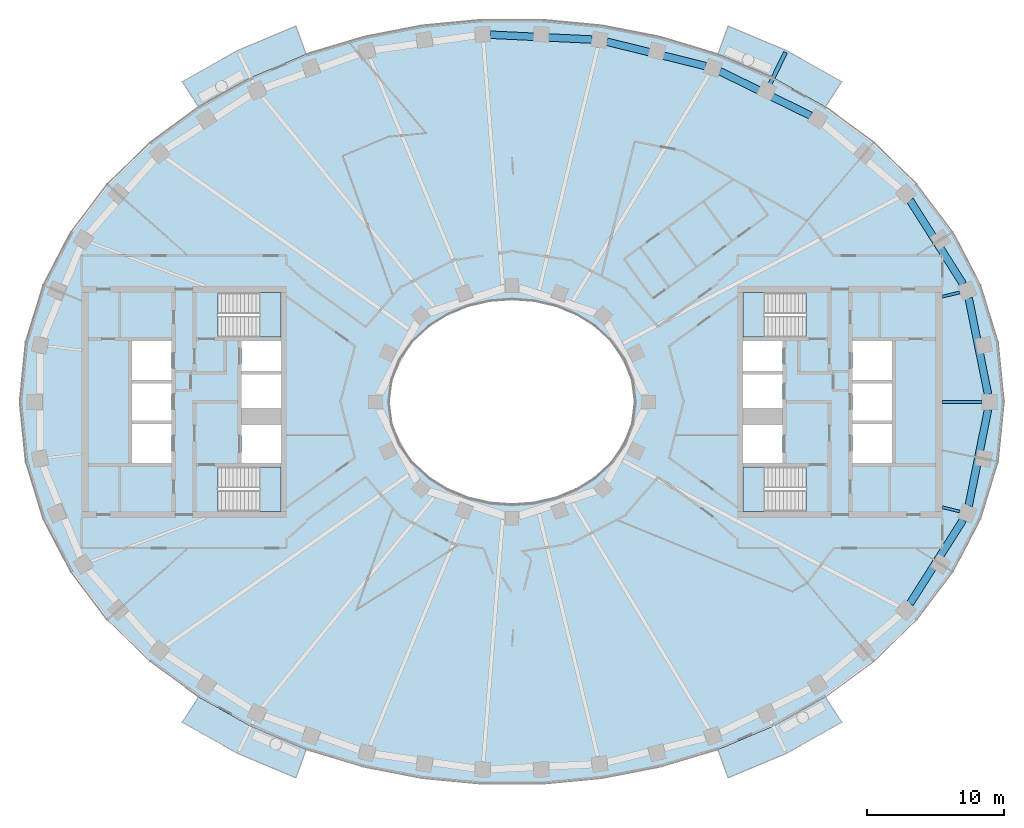
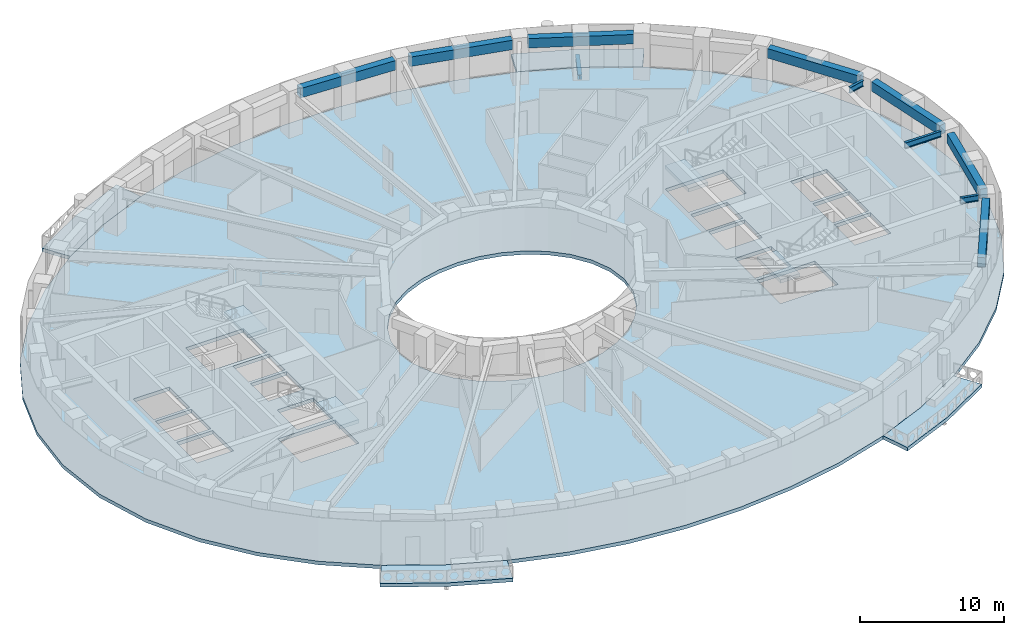
# One storey, part 2 of 15: 11 beams, 9 slabs, 4 elements without a shape of their own.
"""IFC4 building model written with IfcOpenShell, lengths in metres."""

from ifc_helpers import new_model, si_unit, direction, frame, origin, origin_2d, place, context, subcontext, project, spatial, polyline, rectangle, i_section, outline, extrude, material, layer, layer_set, material_profile, profile_set, type_object, element, aggregate, save


model = new_model("IFC4")

# Units and contexts
model_context = context("Model", 3, precision=1e-05, world=origin(), true_north=direction((0.0, 1.0)))
body_context = subcontext(model_context, "Body", "Model", "MODEL_VIEW")
ifc_project = project(units=[si_unit("LENGTHUNIT", "METRE"), si_unit("AREAUNIT", "SQUARE_METRE"), si_unit("VOLUMEUNIT", "CUBIC_METRE"), si_unit("PLANEANGLEUNIT", "RADIAN"), si_unit("MASSUNIT", "GRAM", prefix="KILO")], contexts=[model_context])

# Site, building, storey
site_placement = place(None, origin())
site = spatial("IfcSite", under=ifc_project, at=site_placement, CompositionType="ELEMENT")
building_placement = place(site_placement, origin())
building = spatial("IfcBuilding", under=site, at=building_placement, Name="Noorbagh Ring Tower", CompositionType="ELEMENT")
storey_placement = place(building_placement, frame((0.0, 0.0, 194.0)))
storey = spatial("IfcBuildingStorey", under=building, at=storey_placement, Name="L45", CompositionType="ELEMENT", Elevation=194.0)

# Beams
ifc_material_1 = material(Name="Steel S355", Category="steel")
ifc_material_profile_1 = material_profile(ifc_material_1, i_section(OverallWidth=0.300048828125, OverallDepth=0.39990234375, WebThickness=0.013427734375, FlangeThickness=0.02392578125, FilletRadius=0.027099609375, at=origin_2d()), Name="HEB400")
ifc_profile_set_1 = profile_set([ifc_material_profile_1], Name="Steel S355")
beam_type_1 = type_object("IfcBeamType", Name="STR-BALCONY-BRACKET-HEB400", PredefinedType="BEAM", material=ifc_profile_set_1)
beam_1_placement = place(storey_placement, frame((18.89013671875, 23.283935546875, -0.5), z_axis=(0.439230736405, 0.898374287364, 0.0), x_axis=(-0.898374287364, 0.439230736405, 0.0)))
element("IfcBeam", 1, at=beam_1_placement, inside=storey, type_object=beam_type_1, Name="Balcony bracket beam BN02", PredefinedType="BEAM", context=body_context, shape_type="SweptSolid", body=[
    extrude(i_section(OverallWidth=0.300048828125, OverallDepth=0.39990234375, WebThickness=0.013427734375, FlangeThickness=0.02392578125, FilletRadius=0.027099609375, at=origin_2d()), origin(), (0.0, 0.0, 1.0), 2.55029296875),
])
ifc_material_2 = material(Name="Steel S355", Category="steel")
ifc_material_profile_2 = material_profile(ifc_material_2, i_section(OverallWidth=0.199951171875, OverallDepth=0.5, WebThickness=0.01025390625, FlangeThickness=0.01611328125, FilletRadius=0.02099609375, at=origin_2d()), Name="IPE500")
ifc_profile_set_2 = profile_set([ifc_material_profile_2], Name="Steel S355")
beam_type_2 = type_object("IfcBeamType", Name="STR-RAD-IPE500", PredefinedType="BEAM", material=ifc_profile_set_2)
beam_2_placement = place(storey_placement, frame((34.3896484375, 0.0, 3.449951171875), z_axis=(-1.0, 0.0, 0.0), x_axis=(0.0, -1.0, 0.0)))
element("IfcBeam", 2, at=beam_2_placement, inside=storey, type_object=beam_type_2, Name="L45/bm/RD01", PredefinedType="BEAM", context=body_context, shape_type="SweptSolid", body=[
    extrude(i_section(OverallWidth=0.199951171875, OverallDepth=0.5, WebThickness=0.01025390625, FlangeThickness=0.01611328125, FilletRadius=0.02099609375, at=origin_2d()), origin(), (0.0, 0.0, 1.0), 2.90966796875),
])
for number, where, z_axis, x_axis, name in (
    (3, (32.759765625, 8.015869140625, 3.449951171875), (-0.971351477813, -0.237647441709, 0.0), (0.237647441709, -0.971351477813, 0.0), "L45/bm/RD03"),
    (4, (32.759765625, -8.015869140625, 3.449951171875), (-0.971351477813, 0.237647441709, 0.0), (-0.237647441709, -0.971351477813, 0.0), "L45/bm/RD45"),
):
    element("IfcBeam", number, at=place(storey_placement, frame(where, z_axis=z_axis, x_axis=x_axis)), inside=storey, type_object=beam_type_2, Name=name, PredefinedType="BEAM", context=body_context, shape_type="SweptSolid", body=[
        extrude(i_section(OverallWidth=0.199951171875, OverallDepth=0.5, WebThickness=0.01025390625, FlangeThickness=0.01611328125, FilletRadius=0.02099609375, at=origin_2d()), origin(), (0.0, 0.0, 1.0), 1.317138671875),
    ])
ifc_material_3 = material(Name="Concrete C40/50", Category="concrete")
ifc_material_profile_3 = material_profile(ifc_material_3, rectangle(XDim=0.550048828125, YDim=0.800048828125, at=origin_2d()), Name="RC550x800")
ifc_profile_set_3 = profile_set([ifc_material_profile_3], Name="Concrete C40/50")
beam_type_3 = type_object("IfcBeamType", Name="STR-SB-RC550x800-C40-50", PredefinedType="BEAM", material=ifc_profile_set_3)
beam_3_placement = place(storey_placement, frame((34.8330078125, 0.555419921875, 3.300048828125), z_axis=(-0.197234085058, 0.980356422783, 0.0), x_axis=(-0.980356422783, -0.197234085058, 0.0)))
element("IfcBeam", 5, at=beam_3_placement, inside=storey, type_object=beam_type_3, Name="L45/bm/SP01", PredefinedType="BEAM", context=body_context, shape_type="SweptSolid", body=[
    extrude(rectangle(XDim=0.550048828125, YDim=0.800048828125, at=origin_2d()), origin(), (0.0, 0.0, 1.0), 7.1806640625),
])
beam_4_placement = place(storey_placement, frame((33.00341796875, 8.625732421875, 3.300048828125), z_axis=(-0.535193751586, 0.844729334322, 0.0), x_axis=(-0.844729334322, -0.535193751586, 0.0)))
element("IfcBeam", 6, at=beam_4_placement, inside=storey, type_object=beam_type_3, Name="L45/bm/SP03", PredefinedType="BEAM", context=body_context, shape_type="SweptSolid", body=[
    extrude(rectangle(XDim=0.550048828125, YDim=0.800048828125, at=origin_2d()), origin(), (0.0, 0.0, 1.0), 7.25634765625),
])
beam_5_placement = place(storey_placement, frame((21.85986328125, 20.945556640625, 3.300048828125), z_axis=(-0.898409236546, 0.439159246389, 0.0), x_axis=(-0.439159246389, -0.898409236546, 0.0)))
element("IfcBeam", 7, at=beam_5_placement, inside=storey, type_object=beam_type_3, Name="L45/bm/SP07", PredefinedType="BEAM", context=body_context, shape_type="SweptSolid", body=[
    extrude(rectangle(XDim=0.550048828125, YDim=0.800048828125, at=origin_2d()), origin(), (0.0, 0.0, 1.0), 7.400390625),
])
beam_6_placement = place(storey_placement, frame((14.167724609375, 24.57470703125, 3.300048828125), z_axis=(-0.970828249823, 0.239775956563, 0.0), x_axis=(-0.239775956563, -0.970828249823, 0.0)))
element("IfcBeam", 8, at=beam_6_placement, inside=storey, type_object=beam_type_3, Name="L45/bm/SP09", PredefinedType="BEAM", context=body_context, shape_type="SweptSolid", body=[
    extrude(rectangle(XDim=0.550048828125, YDim=0.800048828125, at=origin_2d()), origin(), (0.0, 0.0, 1.0), 7.433837890625),
])
beam_7_placement = place(storey_placement, frame((5.852294921875, 26.517333984375, 3.300048828125), z_axis=(-0.998867915197, 0.047569822271, 0.0), x_axis=(-0.047569822271, -0.998867915197, 0.0)))
element("IfcBeam", 9, at=beam_7_placement, inside=storey, type_object=beam_type_3, Name="L45/bm/SP11", PredefinedType="BEAM", context=body_context, shape_type="SweptSolid", body=[
    extrude(rectangle(XDim=0.550048828125, YDim=0.800048828125, at=origin_2d()), origin(), (0.0, 0.0, 1.0), 7.447021484375),
])
beam_8_placement = place(storey_placement, frame((29.119873046875, -14.75537109375, 3.300048828125), z_axis=(0.535193751586, 0.844729334322, 0.0), x_axis=(-0.844729334322, 0.535193751586, 0.0)))
element("IfcBeam", 10, at=beam_8_placement, inside=storey, type_object=beam_type_3, Name="L45/bm/SP43", PredefinedType="BEAM", context=body_context, shape_type="SweptSolid", body=[
    extrude(rectangle(XDim=0.550048828125, YDim=0.800048828125, at=origin_2d()), origin(), (0.0, 0.0, 1.0), 7.25634765625),
])
beam_9_placement = place(storey_placement, frame((33.416748046875, -7.594970703125, 3.300048828125), z_axis=(0.197234085058, 0.980356422783, 0.0), x_axis=(-0.980356422783, 0.197234085058, 0.0)))
element("IfcBeam", 11, at=beam_9_placement, inside=storey, type_object=beam_type_3, Name="L45/bm/SP45", PredefinedType="BEAM", context=body_context, shape_type="SweptSolid", body=[
    extrude(rectangle(XDim=0.550048828125, YDim=0.800048828125, at=origin_2d()), origin(), (0.0, 0.0, 1.0), 7.1806640625),
])

# Stair, slab
ifc_material_4 = material(Name="Concrete C40/50", Category="concrete")
stair_type = type_object("IfcStairType", Name="CORE-STAIR", PredefinedType="HALF_TURN_STAIR", material=ifc_material_4)
stair_1_placement = place(storey_placement, origin())
stair_1 = element("IfcStair", 12, at=stair_1_placement, inside=storey, type_object=stair_type, Name="L45 Exit stair ST1", PredefinedType="HALF_TURN_STAIR")
ifc_material_5 = material(Name="Concrete C40/50", Category="concrete")
ifc_layer_1 = layer(ifc_material_5, 0.300048828125)
ifc_layer_set_1 = layer_set([ifc_layer_1], Name="Concrete C40/50")
slab_type_1 = type_object("IfcSlabType", Name="CORE-STAIR-LANDING", PredefinedType="LANDING", material=ifc_layer_set_1)
slab_1_placement = place(storey_placement, frame((0.0, 0.0, 1.699951171875)))
slab_1 = element("IfcSlab", 13, at=slab_1_placement, type_object=slab_type_1, Name="ST1 landing 1", PredefinedType="LANDING", context=body_context, shape_type="SweptSolid", body=[
    extrude(outline(polyline([(-18.449951171875, 4.75), (-16.89990234375, 4.75), (-16.89990234375, 8.0), (-18.449951171875, 8.0), (-18.449951171875, 4.75)])), origin(), (0.0, 0.0, 1.0), 0.300048828125),
])
aggregate(stair_1, [slab_1])

stair_2_placement = place(storey_placement, origin())
stair_2 = element("IfcStair", 14, at=stair_2_placement, inside=storey, type_object=stair_type, Name="L45 Exit stair ST2", PredefinedType="HALF_TURN_STAIR")
slab_2_placement = place(storey_placement, frame((0.0, 0.0, 1.699951171875)))
slab_2 = element("IfcSlab", 15, at=slab_2_placement, type_object=slab_type_1, Name="ST2 landing 1", PredefinedType="LANDING", context=body_context, shape_type="SweptSolid", body=[
    extrude(outline(polyline([(-18.449951171875, -8.0), (-16.89990234375, -8.0), (-16.89990234375, -4.75), (-18.449951171875, -4.75), (-18.449951171875, -8.0)])), origin(), (0.0, 0.0, 1.0), 0.300048828125),
])
aggregate(stair_2, [slab_2])

stair_3_placement = place(storey_placement, origin())
stair_3 = element("IfcStair", 16, at=stair_3_placement, inside=storey, type_object=stair_type, Name="L45 Exit stair ST3", PredefinedType="HALF_TURN_STAIR")
slab_3_placement = place(storey_placement, frame((0.0, 0.0, 1.699951171875)))
slab_3 = element("IfcSlab", 17, at=slab_3_placement, type_object=slab_type_1, Name="ST3 landing 1", PredefinedType="LANDING", context=body_context, shape_type="SweptSolid", body=[
    extrude(outline(polyline([(18.449951171875, 8.0), (16.89990234375, 8.0), (16.89990234375, 4.75), (18.449951171875, 4.75), (18.449951171875, 8.0)])), origin(), (0.0, 0.0, 1.0), 0.300048828125),
])
aggregate(stair_3, [slab_3])

stair_4_placement = place(storey_placement, origin())
stair_4 = element("IfcStair", 18, at=stair_4_placement, inside=storey, type_object=stair_type, Name="L45 Exit stair ST4", PredefinedType="HALF_TURN_STAIR")
slab_4_placement = place(storey_placement, frame((0.0, 0.0, 1.699951171875)))
slab_4 = element("IfcSlab", 19, at=slab_4_placement, type_object=slab_type_1, Name="ST4 landing 1", PredefinedType="LANDING", context=body_context, shape_type="SweptSolid", body=[
    extrude(outline(polyline([(18.449951171875, -4.75), (16.89990234375, -4.75), (16.89990234375, -8.0), (18.449951171875, -8.0), (18.449951171875, -4.75)])), origin(), (0.0, 0.0, 1.0), 0.300048828125),
])
aggregate(stair_4, [slab_4])

# Slabs
ifc_material_6 = material(Name="Concrete C40/50", Category="concrete")
ifc_layer_2 = layer(ifc_material_6, 0.300048828125)
ifc_layer_set_2 = layer_set([ifc_layer_2], Name="Concrete C40/50")
slab_type_2 = type_object("IfcSlabType", Name="ENV-BALCONY DECK 300", PredefinedType="FLOOR", material=ifc_layer_set_2)
slab_5_placement = place(storey_placement, frame((0.0, 0.0, -0.300048828125)))
element("IfcSlab", 20, at=slab_5_placement, inside=storey, type_object=slab_type_2, Name="Tree balcony deck BN02", PredefinedType="FLOOR", context=body_context, shape_type="SweptSolid", body=[
    extrude(outline(polyline([(24.1279296875, 23.435791015625), (20.076171875, 25.709716796875), (15.810791015625, 27.50341796875), (15.0654296875, 25.430419921875), (19.108154296875, 23.730224609375), (22.9326171875, 21.583740234375), (24.1279296875, 23.435791015625)])), origin(), (0.0, 0.0, 1.0), 0.300048828125),
])
slab_6_placement = place(storey_placement, frame((0.0, 0.0, -0.300048828125)))
element("IfcSlab", 21, at=slab_6_placement, inside=storey, type_object=slab_type_2, Name="Tree balcony deck BN05", PredefinedType="FLOOR", context=body_context, shape_type="SweptSolid", body=[
    extrude(outline(polyline([(-15.810791015625, 27.50341796875), (-20.076171875, 25.709716796875), (-24.1279296875, 23.435791015625), (-22.9326171875, 21.583740234375), (-19.108154296875, 23.730224609375), (-15.0654296875, 25.430419921875), (-15.810791015625, 27.50341796875)])), origin(), (0.0, 0.0, 1.0), 0.300048828125),
])
slab_7_placement = place(storey_placement, frame((0.0, 0.0, -0.300048828125)))
element("IfcSlab", 22, at=slab_7_placement, inside=storey, type_object=slab_type_2, Name="Tree balcony deck BS02", PredefinedType="FLOOR", context=body_context, shape_type="SweptSolid", body=[
    extrude(outline(polyline([(-24.1279296875, -23.435791015625), (-20.076171875, -25.709716796875), (-15.810791015625, -27.50341796875), (-15.0654296875, -25.430419921875), (-19.108154296875, -23.730224609375), (-22.9326171875, -21.583740234375), (-24.1279296875, -23.435791015625)])), origin(), (0.0, 0.0, 1.0), 0.300048828125),
])
slab_8_placement = place(storey_placement, frame((0.0, 0.0, -0.300048828125)))
element("IfcSlab", 23, at=slab_8_placement, inside=storey, type_object=slab_type_2, Name="Tree balcony deck BS05", PredefinedType="FLOOR", context=body_context, shape_type="SweptSolid", body=[
    extrude(outline(polyline([(15.810791015625, -27.50341796875), (20.076171875, -25.709716796875), (24.1279296875, -23.435791015625), (22.9326171875, -21.583740234375), (19.108154296875, -23.730224609375), (15.0654296875, -25.430419921875), (15.810791015625, -27.50341796875)])), origin(), (0.0, 0.0, 1.0), 0.300048828125),
])
ifc_material_7 = material(Name="Concrete C40/50", Category="concrete")
ifc_layer_3 = layer(ifc_material_7, 0.300048828125)
ifc_layer_set_3 = layer_set([ifc_layer_3], Name="Concrete C40/50")
slab_type_3 = type_object("IfcSlabType", Name="STR-FLOOR-DECK-300", PredefinedType="FLOOR", material=ifc_layer_set_3)
slab_9_placement = place(storey_placement, frame((0.0, 0.0, -0.300048828125)))
element("IfcSlab", 24, at=slab_9_placement, inside=storey, type_object=slab_type_3, Name="L45/slab/1", PredefinedType="FLOOR", context=body_context, shape_type="SweptSolid", body=[
    extrude(outline(polyline([(36.0, 0.0), (35.56103515625, 4.358642578125), (34.281005859375, 8.548828125), (32.255126953125, 12.434814453125), (29.607666015625, 15.92822265625), (26.463134765625, 18.983154296875), (22.9326171875, 21.583740234375), (19.108154296875, 23.730224609375), (15.0654296875, 25.430419921875), (10.865234375, 26.6943359375), (6.5595703125, 27.53125), (2.193115234375, 27.947998046875), (-2.193115234375, 27.947998046875), (-6.5595703125, 27.53125), (-10.865234375, 26.6943359375), (-15.0654296875, 25.430419921875), (-19.108154296875, 23.730224609375), (-22.9326171875, 21.583740234375), (-26.463134765625, 18.983154296875), (-29.607666015625, 15.92822265625), (-32.255126953125, 12.434814453125), (-34.281005859375, 8.548828125), (-35.56103515625, 4.358642578125), (-36.0, 0.0), (-35.56103515625, -4.358642578125), (-34.281005859375, -8.548828125), (-32.255126953125, -12.434814453125), (-29.607666015625, -15.92822265625), (-26.463134765625, -18.983154296875), (-22.9326171875, -21.583740234375), (-19.108154296875, -23.730224609375), (-15.0654296875, -25.430419921875), (-10.865234375, -26.6943359375), (-6.5595703125, -27.53125), (-2.193115234375, -27.947998046875), (2.193115234375, -27.947998046875), (6.5595703125, -27.53125), (10.865234375, -26.6943359375), (15.0654296875, -25.430419921875), (19.108154296875, -23.730224609375), (22.9326171875, -21.583740234375), (26.463134765625, -18.983154296875), (29.607666015625, -15.92822265625), (32.255126953125, -12.434814453125), (34.281005859375, -8.548828125), (35.56103515625, -4.358642578125), (36.0, 0.0)]), holes=[polyline([(24.89990234375, 4.449951171875), (27.800048828125, 4.449951171875), (27.800048828125, 1.60009765625), (24.89990234375, 1.60009765625), (24.89990234375, 4.449951171875)]), polyline([(24.89990234375, 1.35009765625), (27.800048828125, 1.35009765625), (27.800048828125, -1.35009765625), (24.89990234375, -1.35009765625), (24.89990234375, 1.35009765625)]), polyline([(24.89990234375, -1.60009765625), (27.800048828125, -1.60009765625), (27.800048828125, -4.449951171875), (24.89990234375, -4.449951171875), (24.89990234375, -1.60009765625)]), polyline([(21.529541015625, -8.0), (16.89990234375, -8.0), (16.89990234375, -4.75), (21.529541015625, -4.75), (21.529541015625, -8.0)]), polyline([(16.89990234375, 4.75), (16.89990234375, 8.0), (21.529541015625, 8.0), (21.529541015625, 4.75), (16.89990234375, 4.75)]), polyline([(19.800048828125, 4.449951171875), (19.800048828125, 2.25), (16.89990234375, 2.25), (16.89990234375, 4.449951171875), (19.800048828125, 4.449951171875)]), polyline([(16.89990234375, 2.0), (19.800048828125, 2.0), (19.800048828125, -0.449951171875), (16.89990234375, -0.449951171875), (16.89990234375, 2.0)]), polyline([(16.89990234375, -1.699951171875), (19.800048828125, -1.699951171875), (19.800048828125, -4.449951171875), (16.89990234375, -4.449951171875), (16.89990234375, -1.699951171875)]), polyline([(4.697509765625, -6.3974609375), (3.196533203125, -7.010986328125), (1.6171875, -7.3779296875), (0.0, -7.5), (-1.6171875, -7.3779296875), (-3.196533203125, -7.010986328125), (-4.697509765625, -6.3974609375), (-6.071044921875, -5.53662109375), (-7.2587890625, -4.43408203125), (-8.1904296875, -3.10888671875), (-8.79150390625, -1.605224609375), (-9.0, 0.0), (-8.79150390625, 1.605224609375), (-8.1904296875, 3.10888671875), (-7.2587890625, 4.43408203125), (-6.071044921875, 5.53662109375), (-4.697509765625, 6.3974609375), (-3.196533203125, 7.010986328125), (-1.6171875, 7.3779296875), (0.0, 7.5), (1.6171875, 7.3779296875), (3.196533203125, 7.010986328125), (4.697509765625, 6.3974609375), (6.071044921875, 5.53662109375), (7.2587890625, 4.43408203125), (8.1904296875, 3.10888671875), (8.79150390625, 1.605224609375), (9.0, 0.0), (8.79150390625, -1.605224609375), (8.1904296875, -3.10888671875), (7.2587890625, -4.43408203125), (6.071044921875, -5.53662109375), (4.697509765625, -6.3974609375)]), polyline([(-16.89990234375, 2.25), (-19.800048828125, 2.25), (-19.800048828125, 4.449951171875), (-16.89990234375, 4.449951171875), (-16.89990234375, 2.25)]), polyline([(-16.89990234375, -0.449951171875), (-19.800048828125, -0.449951171875), (-19.800048828125, 2.0), (-16.89990234375, 2.0), (-16.89990234375, -0.449951171875)]), polyline([(-16.89990234375, -4.449951171875), (-19.800048828125, -4.449951171875), (-19.800048828125, -1.699951171875), (-16.89990234375, -1.699951171875), (-16.89990234375, -4.449951171875)]), polyline([(-21.529541015625, 8.0), (-16.89990234375, 8.0), (-16.89990234375, 4.75), (-21.529541015625, 4.75), (-21.529541015625, 8.0)]), polyline([(-21.529541015625, -4.75), (-16.89990234375, -4.75), (-16.89990234375, -8.0), (-21.529541015625, -8.0), (-21.529541015625, -4.75)]), polyline([(-24.89990234375, -4.449951171875), (-27.800048828125, -4.449951171875), (-27.800048828125, -1.60009765625), (-24.89990234375, -1.60009765625), (-24.89990234375, -4.449951171875)]), polyline([(-24.89990234375, 1.60009765625), (-27.800048828125, 1.60009765625), (-27.800048828125, 4.449951171875), (-24.89990234375, 4.449951171875), (-24.89990234375, 1.60009765625)]), polyline([(-24.89990234375, -1.35009765625), (-27.800048828125, -1.35009765625), (-27.800048828125, 1.35009765625), (-24.89990234375, 1.35009765625), (-24.89990234375, -1.35009765625)])]), origin(), (0.0, 0.0, 1.0), 0.300048828125),
])

save(model, "model.ifc")
